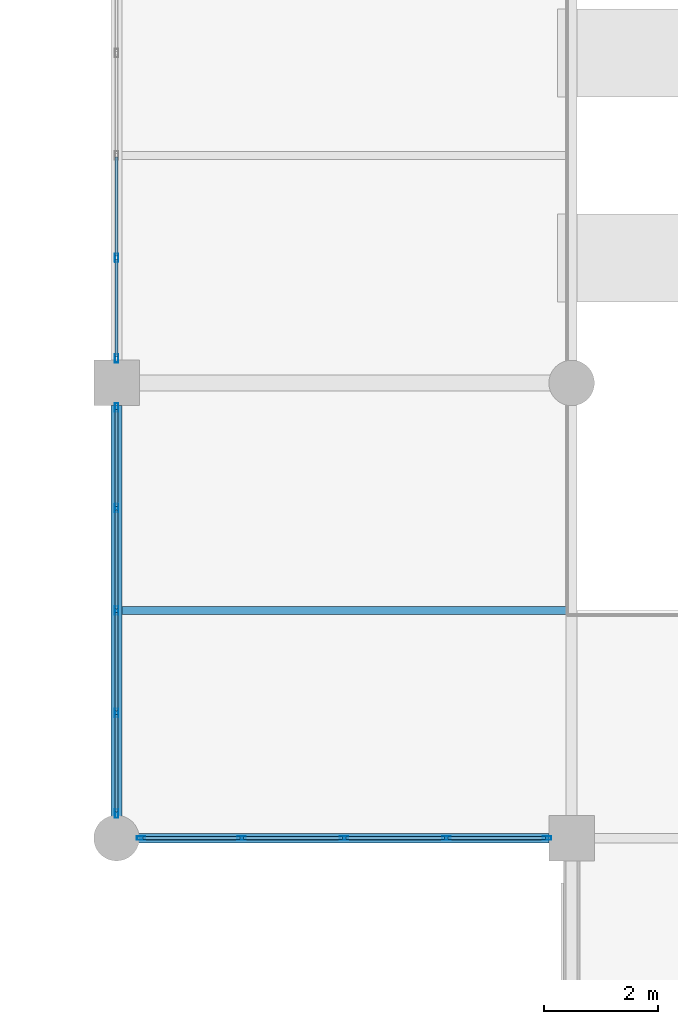
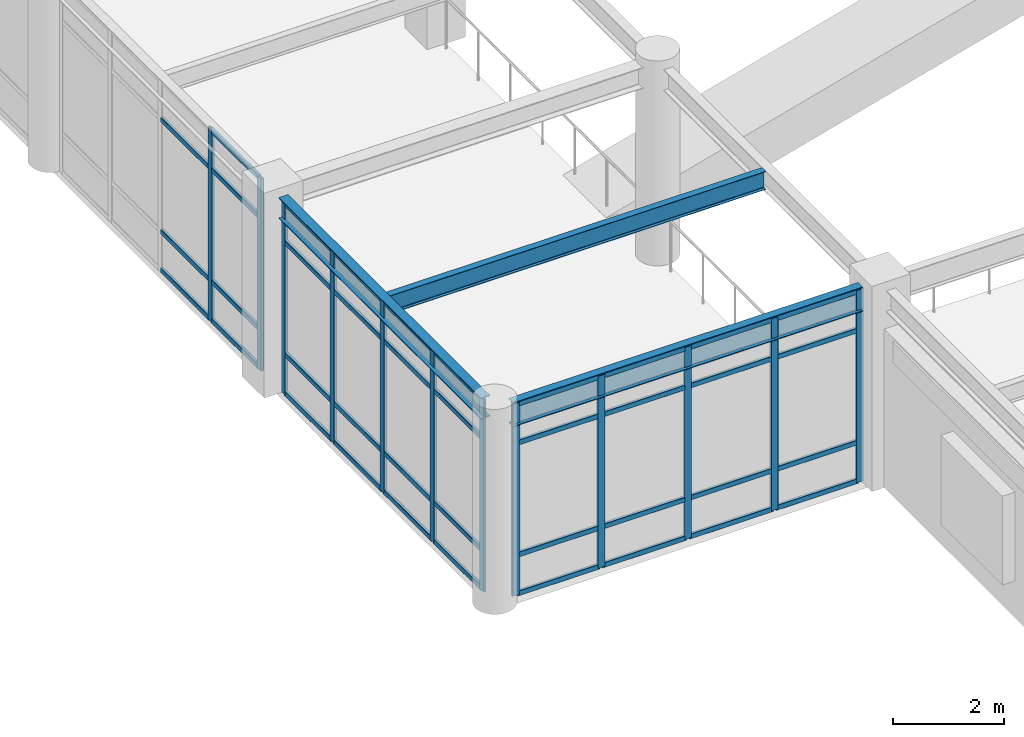
# One storey, part 18 of 75: 51 members, 3 beams, 3 elements without a shape of their own.
"""IFC4 building model written with IfcOpenShell, lengths in metres."""

from ifc_helpers import new_model, si_unit, direction, frame, origin, origin_2d, place, context, subcontext, project, spatial, hollow_rectangle, i_section, extrude, material, material_profile, profile_set, type_object, element, aggregate, save


model = new_model("IFC4")

# Units and contexts
model_context = context("Model", 3, precision=1e-05, world=origin(), true_north=direction((0.0, 1.0)))
body_context = subcontext(model_context, "Body", "Model", "MODEL_VIEW")
ifc_project = project(units=[si_unit("LENGTHUNIT", "METRE"), si_unit("AREAUNIT", "SQUARE_METRE"), si_unit("VOLUMEUNIT", "CUBIC_METRE"), si_unit("PLANEANGLEUNIT", "RADIAN"), si_unit("MASSUNIT", "GRAM", prefix="KILO")], contexts=[model_context])

# Site, building, storey
site_placement = place(None, origin())
site = spatial("IfcSite", under=ifc_project, at=site_placement, CompositionType="ELEMENT")
building_placement = place(site_placement, origin())
building = spatial("IfcBuilding", under=site, at=building_placement, Name="Solmirada Galleria", CompositionType="ELEMENT")
storey_placement = place(building_placement, frame((0.0, 0.0, 19.39990234375)))
storey = spatial("IfcBuildingStorey", under=building, at=storey_placement, Name="L04", CompositionType="ELEMENT", Elevation=19.39990234375)

# Beams
ifc_material_1 = material(Name="Steel S355 / ASTM A992 Grade 50", Category="steel")
ifc_material_profile_1 = material_profile(ifc_material_1, i_section(OverallWidth=0.193115234375, OverallDepth=0.466064453125, WebThickness=0.011474609375, FlangeThickness=0.01904296875, FilletRadius=0.013916015625, at=origin_2d()), Name="W18X65")
ifc_profile_set_1 = profile_set([ifc_material_profile_1], Name="Steel S355 / ASTM A992 Grade 50")
beam_type_1 = type_object("IfcBeamType", Name="BM-GIRD-W18C", PredefinedType="BEAM", material=ifc_profile_set_1)
beam_1_placement = place(storey_placement, frame((80.0, 48.3359375, 4.067138671875), z_axis=(0.0, 1.0, 0.0), x_axis=(-1.0, 0.0, 0.0)))
element("IfcBeam", 1, at=beam_1_placement, inside=storey, type_object=beam_type_1, Name="Primary girder L05 Y(80, 48..56)", PredefinedType="BEAM", context=body_context, shape_type="SweptSolid", body=[
    extrude(i_section(OverallWidth=0.193115234375, OverallDepth=0.466064453125, WebThickness=0.011474609375, FlangeThickness=0.01904296875, FilletRadius=0.013916015625, at=origin_2d()), origin(), (0.0, 0.0, 1.0), 7.26416015625),
])
ifc_material_profile_2 = material_profile(ifc_material_1, i_section(OverallWidth=0.1669921875, OverallDepth=0.534912109375, WebThickness=0.01025390625, FlangeThickness=0.0166015625, FilletRadius=0.013916015625, at=origin_2d()), Name="W21X57")
ifc_profile_set_2 = profile_set([ifc_material_profile_2], Name="Steel S355 / ASTM A992 Grade 50")
beam_type_2 = type_object("IfcBeamType", Name="BM-GIRD-W21C", PredefinedType="BEAM", material=ifc_profile_set_2)
beam_2_placement = place(storey_placement, frame((80.3359375, 48.0, 4.03271484375), z_axis=(1.0, 0.0, 0.0), x_axis=(0.0, 1.0, 0.0)))
element("IfcBeam", 2, at=beam_2_placement, inside=storey, type_object=beam_type_2, Name="Primary beam L05 X(80..88, 48)", PredefinedType="BEAM", context=body_context, shape_type="SweptSolid", body=[
    extrude(i_section(OverallWidth=0.1669921875, OverallDepth=0.534912109375, WebThickness=0.01025390625, FlangeThickness=0.0166015625, FilletRadius=0.013916015625, at=origin_2d()), origin(), (0.0, 0.0, 1.0), 7.26416015625),
])
ifc_material_profile_3 = material_profile(ifc_material_1, i_section(OverallWidth=0.139892578125, OverallDepth=0.39892578125, WebThickness=0.00634765625, FlangeThickness=0.0087890625, FilletRadius=0.010986328125, at=origin_2d()), Name="W16X26")
ifc_profile_set_3 = profile_set([ifc_material_profile_3], Name="Steel S355 / ASTM A992 Grade 50")
beam_type_3 = type_object("IfcBeamType", Name="BM-JST-W16C", PredefinedType="JOIST", material=ifc_profile_set_3)
beam_3_placement = place(storey_placement, frame((80.096435546875, 52.0, 4.1005859375), z_axis=(1.0, 0.0, 0.0), x_axis=(0.0, 1.0, 0.0)))
element("IfcBeam", 3, at=beam_3_placement, inside=storey, type_object=beam_type_3, Name="Composite floor joist L05 (80..88, 52.0)", PredefinedType="JOIST", context=body_context, shape_type="SweptSolid", body=[
    extrude(i_section(OverallWidth=0.139892578125, OverallDepth=0.39892578125, WebThickness=0.00634765625, FlangeThickness=0.0087890625, FilletRadius=0.010986328125, at=origin_2d()), origin(), (0.0, 0.0, 1.0), 7.80712890625),
])

# Curtain wall, members
ifc_material_2 = material(Name="Impact-resistant low-E double glazing", Category="glass")
curtain_wall_type = type_object("IfcCurtainWallType", Name="CW-FZ3-L04-B4-L072", PredefinedType="NOTDEFINED", material=ifc_material_2)
curtain_wall_1_placement = place(storey_placement, origin())
curtain_wall_1 = element("IfcCurtainWall", 4, at=curtain_wall_1_placement, inside=storey, type_object=curtain_wall_type, Name="Terrace and arcade storefront CW-L04-141", PredefinedType="NOTDEFINED")
ifc_material_3 = material(Name="Anodised aluminium framing", Category="aluminium")
ifc_material_profile_4 = material_profile(ifc_material_3, hollow_rectangle(XDim=0.06005859375, YDim=0.14990234375, WallThickness=0.00341796875, InnerFilletRadius=0.00341796875, OuterFilletRadius=0.007080078125, at=origin_2d()), Name="ALU-MULL-150X60")
ifc_profile_set_4 = profile_set([ifc_material_profile_4], Name="Anodised aluminium framing")
member_type_1 = type_object("IfcMemberType", Name="CW-MULL-150", PredefinedType="MULLION", material=ifc_profile_set_4)
member_1_placement = place(storey_placement, frame((87.568115234375, 48.0, 0.0), z_axis=(0.0, 0.0, 1.0), x_axis=(0.0, -1.0, 0.0)))
member_1 = element("IfcMember", 5, at=member_1_placement, type_object=member_type_1, Name="CW30 mullion 1", PredefinedType="MULLION", context=body_context, shape_type="SweptSolid", body=[
    extrude(hollow_rectangle(XDim=0.06005859375, YDim=0.14990234375, WallThickness=0.00341796875, InnerFilletRadius=0.00341796875, OuterFilletRadius=0.007080078125, at=origin_2d()), origin(), (0.0, 0.0, 1.0), 4.22021484375),
])
member_2_placement = place(storey_placement, frame((85.799072265625, 48.0, 0.0), z_axis=(0.0, 0.0, 1.0), x_axis=(0.0, -1.0, 0.0)))
member_2 = element("IfcMember", 6, at=member_2_placement, type_object=member_type_1, Name="CW30 mullion 2", PredefinedType="MULLION", context=body_context, shape_type="SweptSolid", body=[
    extrude(hollow_rectangle(XDim=0.06005859375, YDim=0.14990234375, WallThickness=0.00341796875, InnerFilletRadius=0.00341796875, OuterFilletRadius=0.007080078125, at=origin_2d()), origin(), (0.0, 0.0, 1.0), 4.22021484375),
])
member_3_placement = place(storey_placement, frame((84.0, 48.0, 0.0), z_axis=(0.0, 0.0, 1.0), x_axis=(0.0, -1.0, 0.0)))
member_3 = element("IfcMember", 7, at=member_3_placement, type_object=member_type_1, Name="CW30 mullion 3", PredefinedType="MULLION", context=body_context, shape_type="SweptSolid", body=[
    extrude(hollow_rectangle(XDim=0.06005859375, YDim=0.14990234375, WallThickness=0.00341796875, InnerFilletRadius=0.00341796875, OuterFilletRadius=0.007080078125, at=origin_2d()), origin(), (0.0, 0.0, 1.0), 4.22021484375),
])
member_4_placement = place(storey_placement, frame((82.200927734375, 48.0, 0.0), z_axis=(0.0, 0.0, 1.0), x_axis=(0.0, -1.0, 0.0)))
member_4 = element("IfcMember", 8, at=member_4_placement, type_object=member_type_1, Name="CW30 mullion 4", PredefinedType="MULLION", context=body_context, shape_type="SweptSolid", body=[
    extrude(hollow_rectangle(XDim=0.06005859375, YDim=0.14990234375, WallThickness=0.00341796875, InnerFilletRadius=0.00341796875, OuterFilletRadius=0.007080078125, at=origin_2d()), origin(), (0.0, 0.0, 1.0), 4.22021484375),
])
member_5_placement = place(storey_placement, frame((80.431884765625, 48.0, 0.0), z_axis=(0.0, 0.0, 1.0), x_axis=(0.0, -1.0, 0.0)))
member_5 = element("IfcMember", 9, at=member_5_placement, type_object=member_type_1, Name="CW30 mullion 5", PredefinedType="MULLION", context=body_context, shape_type="SweptSolid", body=[
    extrude(hollow_rectangle(XDim=0.06005859375, YDim=0.14990234375, WallThickness=0.00341796875, InnerFilletRadius=0.00341796875, OuterFilletRadius=0.007080078125, at=origin_2d()), origin(), (0.0, 0.0, 1.0), 4.22021484375),
])

curtain_wall_2_placement = place(storey_placement, origin())
curtain_wall_2 = element("IfcCurtainWall", 10, at=curtain_wall_2_placement, inside=storey, type_object=curtain_wall_type, Name="Terrace and arcade storefront CW-L04-142", PredefinedType="NOTDEFINED")
member_6_placement = place(storey_placement, frame((80.0, 48.431884765625, 0.0), z_axis=(0.0, 0.0, 1.0), x_axis=(-1.0, 0.0, 0.0)))
member_6 = element("IfcMember", 11, at=member_6_placement, type_object=member_type_1, Name="CW30 mullion 1", PredefinedType="MULLION", context=body_context, shape_type="SweptSolid", body=[
    extrude(hollow_rectangle(XDim=0.06005859375, YDim=0.14990234375, WallThickness=0.00341796875, InnerFilletRadius=0.00341796875, OuterFilletRadius=0.007080078125, at=origin_2d()), origin(), (0.0, 0.0, 1.0), 4.22021484375),
])
member_7_placement = place(storey_placement, frame((80.0, 50.200927734375, 0.0), z_axis=(0.0, 0.0, 1.0), x_axis=(-1.0, 0.0, 0.0)))
member_7 = element("IfcMember", 12, at=member_7_placement, type_object=member_type_1, Name="CW30 mullion 2", PredefinedType="MULLION", context=body_context, shape_type="SweptSolid", body=[
    extrude(hollow_rectangle(XDim=0.06005859375, YDim=0.14990234375, WallThickness=0.00341796875, InnerFilletRadius=0.00341796875, OuterFilletRadius=0.007080078125, at=origin_2d()), origin(), (0.0, 0.0, 1.0), 4.22021484375),
])
member_8_placement = place(storey_placement, frame((80.0, 52.0, 0.0), z_axis=(0.0, 0.0, 1.0), x_axis=(-1.0, 0.0, 0.0)))
member_8 = element("IfcMember", 13, at=member_8_placement, type_object=member_type_1, Name="CW30 mullion 3", PredefinedType="MULLION", context=body_context, shape_type="SweptSolid", body=[
    extrude(hollow_rectangle(XDim=0.06005859375, YDim=0.14990234375, WallThickness=0.00341796875, InnerFilletRadius=0.00341796875, OuterFilletRadius=0.007080078125, at=origin_2d()), origin(), (0.0, 0.0, 1.0), 4.22021484375),
])
member_9_placement = place(storey_placement, frame((80.0, 53.799072265625, 0.0), z_axis=(0.0, 0.0, 1.0), x_axis=(-1.0, 0.0, 0.0)))
member_9 = element("IfcMember", 14, at=member_9_placement, type_object=member_type_1, Name="CW30 mullion 4", PredefinedType="MULLION", context=body_context, shape_type="SweptSolid", body=[
    extrude(hollow_rectangle(XDim=0.06005859375, YDim=0.14990234375, WallThickness=0.00341796875, InnerFilletRadius=0.00341796875, OuterFilletRadius=0.007080078125, at=origin_2d()), origin(), (0.0, 0.0, 1.0), 4.22021484375),
])
member_10_placement = place(storey_placement, frame((80.0, 55.568115234375, 0.0), z_axis=(0.0, 0.0, 1.0), x_axis=(-1.0, 0.0, 0.0)))
member_10 = element("IfcMember", 15, at=member_10_placement, type_object=member_type_1, Name="CW30 mullion 5", PredefinedType="MULLION", context=body_context, shape_type="SweptSolid", body=[
    extrude(hollow_rectangle(XDim=0.06005859375, YDim=0.14990234375, WallThickness=0.00341796875, InnerFilletRadius=0.00341796875, OuterFilletRadius=0.007080078125, at=origin_2d()), origin(), (0.0, 0.0, 1.0), 4.22021484375),
])

curtain_wall_3_placement = place(storey_placement, origin())
curtain_wall_3 = element("IfcCurtainWall", 16, at=curtain_wall_3_placement, inside=storey, type_object=curtain_wall_type, Name="Terrace and arcade storefront CW-L04-143", PredefinedType="NOTDEFINED")
member_11_placement = place(storey_placement, frame((80.0, 56.431884765625, 0.0), z_axis=(0.0, 0.0, 1.0), x_axis=(-1.0, 0.0, 0.0)))
member_11 = element("IfcMember", 17, at=member_11_placement, type_object=member_type_1, Name="CW30 mullion 1", PredefinedType="MULLION", context=body_context, shape_type="SweptSolid", body=[
    extrude(hollow_rectangle(XDim=0.06005859375, YDim=0.14990234375, WallThickness=0.00341796875, InnerFilletRadius=0.00341796875, OuterFilletRadius=0.007080078125, at=origin_2d()), origin(), (0.0, 0.0, 1.0), 4.22021484375),
])
member_12_placement = place(storey_placement, frame((80.0, 58.200927734375, 0.0), z_axis=(0.0, 0.0, 1.0), x_axis=(-1.0, 0.0, 0.0)))
member_12 = element("IfcMember", 18, at=member_12_placement, type_object=member_type_1, Name="CW30 mullion 2", PredefinedType="MULLION", context=body_context, shape_type="SweptSolid", body=[
    extrude(hollow_rectangle(XDim=0.06005859375, YDim=0.14990234375, WallThickness=0.00341796875, InnerFilletRadius=0.00341796875, OuterFilletRadius=0.007080078125, at=origin_2d()), origin(), (0.0, 0.0, 1.0), 4.22021484375),
])

# Member
ifc_material_profile_5 = material_profile(ifc_material_3, hollow_rectangle(XDim=0.06005859375, YDim=0.110107421875, WallThickness=0.003173828125, InnerFilletRadius=0.003173828125, OuterFilletRadius=0.00634765625, at=origin_2d()), Name="ALU-TRAN-110X60")
ifc_profile_set_5 = profile_set([ifc_material_profile_5], Name="Anodised aluminium framing")
member_type_2 = type_object("IfcMemberType", Name="CW-TRAN-110", PredefinedType="USERDEFINED", material=ifc_profile_set_5)
member_13_placement = place(storey_placement, frame((87.5380859375, 48.0, 0.030029296875), z_axis=(-1.0, 0.0, 0.0), x_axis=(0.0, -1.0, 0.0)))
member_13 = element("IfcMember", 19, at=member_13_placement, type_object=member_type_2, Name="CW30 transom 1.1", ObjectType="TRANSOM", PredefinedType="USERDEFINED", context=body_context, shape_type="SweptSolid", body=[
    extrude(hollow_rectangle(XDim=0.06005859375, YDim=0.110107421875, WallThickness=0.003173828125, InnerFilletRadius=0.003173828125, OuterFilletRadius=0.00634765625, at=origin_2d()), origin(), (0.0, 0.0, 1.0), 1.708984375),
])

member_14_placement = place(storey_placement, frame((87.5380859375, 48.0, 0.880126953125), z_axis=(-1.0, 0.0, 0.0), x_axis=(0.0, -1.0, 0.0)))
member_14 = element("IfcMember", 20, at=member_14_placement, type_object=member_type_2, Name="CW30 transom 1.2", ObjectType="TRANSOM", PredefinedType="USERDEFINED", context=body_context, shape_type="SweptSolid", body=[
    extrude(hollow_rectangle(XDim=0.06005859375, YDim=0.110107421875, WallThickness=0.003173828125, InnerFilletRadius=0.003173828125, OuterFilletRadius=0.00634765625, at=origin_2d()), origin(), (0.0, 0.0, 1.0), 1.708984375),
])

member_15_placement = place(storey_placement, frame((87.5380859375, 48.0, 3.340087890625), z_axis=(-1.0, 0.0, 0.0), x_axis=(0.0, -1.0, 0.0)))
member_15 = element("IfcMember", 21, at=member_15_placement, type_object=member_type_2, Name="CW30 transom 1.3", ObjectType="TRANSOM", PredefinedType="USERDEFINED", context=body_context, shape_type="SweptSolid", body=[
    extrude(hollow_rectangle(XDim=0.06005859375, YDim=0.110107421875, WallThickness=0.003173828125, InnerFilletRadius=0.003173828125, OuterFilletRadius=0.00634765625, at=origin_2d()), origin(), (0.0, 0.0, 1.0), 1.708984375),
])

member_16_placement = place(storey_placement, frame((87.5380859375, 48.0, 4.190185546875), z_axis=(-1.0, 0.0, 0.0), x_axis=(0.0, -1.0, 0.0)))
member_16 = element("IfcMember", 22, at=member_16_placement, type_object=member_type_2, Name="CW30 transom 1.4", ObjectType="TRANSOM", PredefinedType="USERDEFINED", context=body_context, shape_type="SweptSolid", body=[
    extrude(hollow_rectangle(XDim=0.06005859375, YDim=0.110107421875, WallThickness=0.003173828125, InnerFilletRadius=0.003173828125, OuterFilletRadius=0.00634765625, at=origin_2d()), origin(), (0.0, 0.0, 1.0), 1.708984375),
])

member_17_placement = place(storey_placement, frame((85.76904296875, 48.0, 0.030029296875), z_axis=(-1.0, 0.0, 0.0), x_axis=(0.0, -1.0, 0.0)))
member_17 = element("IfcMember", 23, at=member_17_placement, type_object=member_type_2, Name="CW30 transom 2.1", ObjectType="TRANSOM", PredefinedType="USERDEFINED", context=body_context, shape_type="SweptSolid", body=[
    extrude(hollow_rectangle(XDim=0.06005859375, YDim=0.110107421875, WallThickness=0.003173828125, InnerFilletRadius=0.003173828125, OuterFilletRadius=0.00634765625, at=origin_2d()), origin(), (0.0, 0.0, 1.0), 1.739013671875),
])

member_18_placement = place(storey_placement, frame((85.76904296875, 48.0, 0.880126953125), z_axis=(-1.0, 0.0, 0.0), x_axis=(0.0, -1.0, 0.0)))
member_18 = element("IfcMember", 24, at=member_18_placement, type_object=member_type_2, Name="CW30 transom 2.2", ObjectType="TRANSOM", PredefinedType="USERDEFINED", context=body_context, shape_type="SweptSolid", body=[
    extrude(hollow_rectangle(XDim=0.06005859375, YDim=0.110107421875, WallThickness=0.003173828125, InnerFilletRadius=0.003173828125, OuterFilletRadius=0.00634765625, at=origin_2d()), origin(), (0.0, 0.0, 1.0), 1.739013671875),
])

member_19_placement = place(storey_placement, frame((85.76904296875, 48.0, 3.340087890625), z_axis=(-1.0, 0.0, 0.0), x_axis=(0.0, -1.0, 0.0)))
member_19 = element("IfcMember", 25, at=member_19_placement, type_object=member_type_2, Name="CW30 transom 2.3", ObjectType="TRANSOM", PredefinedType="USERDEFINED", context=body_context, shape_type="SweptSolid", body=[
    extrude(hollow_rectangle(XDim=0.06005859375, YDim=0.110107421875, WallThickness=0.003173828125, InnerFilletRadius=0.003173828125, OuterFilletRadius=0.00634765625, at=origin_2d()), origin(), (0.0, 0.0, 1.0), 1.739013671875),
])

member_20_placement = place(storey_placement, frame((85.76904296875, 48.0, 4.190185546875), z_axis=(-1.0, 0.0, 0.0), x_axis=(0.0, -1.0, 0.0)))
member_20 = element("IfcMember", 26, at=member_20_placement, type_object=member_type_2, Name="CW30 transom 2.4", ObjectType="TRANSOM", PredefinedType="USERDEFINED", context=body_context, shape_type="SweptSolid", body=[
    extrude(hollow_rectangle(XDim=0.06005859375, YDim=0.110107421875, WallThickness=0.003173828125, InnerFilletRadius=0.003173828125, OuterFilletRadius=0.00634765625, at=origin_2d()), origin(), (0.0, 0.0, 1.0), 1.739013671875),
])

member_21_placement = place(storey_placement, frame((83.969970703125, 48.0, 0.030029296875), z_axis=(-1.0, 0.0, 0.0), x_axis=(0.0, -1.0, 0.0)))
member_21 = element("IfcMember", 27, at=member_21_placement, type_object=member_type_2, Name="CW30 transom 3.1", ObjectType="TRANSOM", PredefinedType="USERDEFINED", context=body_context, shape_type="SweptSolid", body=[
    extrude(hollow_rectangle(XDim=0.06005859375, YDim=0.110107421875, WallThickness=0.003173828125, InnerFilletRadius=0.003173828125, OuterFilletRadius=0.00634765625, at=origin_2d()), origin(), (0.0, 0.0, 1.0), 1.739013671875),
])

member_22_placement = place(storey_placement, frame((83.969970703125, 48.0, 0.880126953125), z_axis=(-1.0, 0.0, 0.0), x_axis=(0.0, -1.0, 0.0)))
member_22 = element("IfcMember", 28, at=member_22_placement, type_object=member_type_2, Name="CW30 transom 3.2", ObjectType="TRANSOM", PredefinedType="USERDEFINED", context=body_context, shape_type="SweptSolid", body=[
    extrude(hollow_rectangle(XDim=0.06005859375, YDim=0.110107421875, WallThickness=0.003173828125, InnerFilletRadius=0.003173828125, OuterFilletRadius=0.00634765625, at=origin_2d()), origin(), (0.0, 0.0, 1.0), 1.739013671875),
])

member_23_placement = place(storey_placement, frame((83.969970703125, 48.0, 3.340087890625), z_axis=(-1.0, 0.0, 0.0), x_axis=(0.0, -1.0, 0.0)))
member_23 = element("IfcMember", 29, at=member_23_placement, type_object=member_type_2, Name="CW30 transom 3.3", ObjectType="TRANSOM", PredefinedType="USERDEFINED", context=body_context, shape_type="SweptSolid", body=[
    extrude(hollow_rectangle(XDim=0.06005859375, YDim=0.110107421875, WallThickness=0.003173828125, InnerFilletRadius=0.003173828125, OuterFilletRadius=0.00634765625, at=origin_2d()), origin(), (0.0, 0.0, 1.0), 1.739013671875),
])

member_24_placement = place(storey_placement, frame((83.969970703125, 48.0, 4.190185546875), z_axis=(-1.0, 0.0, 0.0), x_axis=(0.0, -1.0, 0.0)))
member_24 = element("IfcMember", 30, at=member_24_placement, type_object=member_type_2, Name="CW30 transom 3.4", ObjectType="TRANSOM", PredefinedType="USERDEFINED", context=body_context, shape_type="SweptSolid", body=[
    extrude(hollow_rectangle(XDim=0.06005859375, YDim=0.110107421875, WallThickness=0.003173828125, InnerFilletRadius=0.003173828125, OuterFilletRadius=0.00634765625, at=origin_2d()), origin(), (0.0, 0.0, 1.0), 1.739013671875),
])

member_25_placement = place(storey_placement, frame((82.1708984375, 48.0, 0.030029296875), z_axis=(-1.0, 0.0, 0.0), x_axis=(0.0, -1.0, 0.0)))
member_25 = element("IfcMember", 31, at=member_25_placement, type_object=member_type_2, Name="CW30 transom 4.1", ObjectType="TRANSOM", PredefinedType="USERDEFINED", context=body_context, shape_type="SweptSolid", body=[
    extrude(hollow_rectangle(XDim=0.06005859375, YDim=0.110107421875, WallThickness=0.003173828125, InnerFilletRadius=0.003173828125, OuterFilletRadius=0.00634765625, at=origin_2d()), origin(), (0.0, 0.0, 1.0), 1.708984375),
])

member_26_placement = place(storey_placement, frame((82.1708984375, 48.0, 0.880126953125), z_axis=(-1.0, 0.0, 0.0), x_axis=(0.0, -1.0, 0.0)))
member_26 = element("IfcMember", 32, at=member_26_placement, type_object=member_type_2, Name="CW30 transom 4.2", ObjectType="TRANSOM", PredefinedType="USERDEFINED", context=body_context, shape_type="SweptSolid", body=[
    extrude(hollow_rectangle(XDim=0.06005859375, YDim=0.110107421875, WallThickness=0.003173828125, InnerFilletRadius=0.003173828125, OuterFilletRadius=0.00634765625, at=origin_2d()), origin(), (0.0, 0.0, 1.0), 1.708984375),
])

member_27_placement = place(storey_placement, frame((82.1708984375, 48.0, 3.340087890625), z_axis=(-1.0, 0.0, 0.0), x_axis=(0.0, -1.0, 0.0)))
member_27 = element("IfcMember", 33, at=member_27_placement, type_object=member_type_2, Name="CW30 transom 4.3", ObjectType="TRANSOM", PredefinedType="USERDEFINED", context=body_context, shape_type="SweptSolid", body=[
    extrude(hollow_rectangle(XDim=0.06005859375, YDim=0.110107421875, WallThickness=0.003173828125, InnerFilletRadius=0.003173828125, OuterFilletRadius=0.00634765625, at=origin_2d()), origin(), (0.0, 0.0, 1.0), 1.708984375),
])

member_28_placement = place(storey_placement, frame((82.1708984375, 48.0, 4.190185546875), z_axis=(-1.0, 0.0, 0.0), x_axis=(0.0, -1.0, 0.0)))
member_28 = element("IfcMember", 34, at=member_28_placement, type_object=member_type_2, Name="CW30 transom 4.4", ObjectType="TRANSOM", PredefinedType="USERDEFINED", context=body_context, shape_type="SweptSolid", body=[
    extrude(hollow_rectangle(XDim=0.06005859375, YDim=0.110107421875, WallThickness=0.003173828125, InnerFilletRadius=0.003173828125, OuterFilletRadius=0.00634765625, at=origin_2d()), origin(), (0.0, 0.0, 1.0), 1.708984375),
])

aggregate(curtain_wall_1, [member_1, member_2, member_3, member_4, member_5, member_13, member_14, member_15, member_16, member_17, member_18, member_19, member_20, member_21, member_22, member_23, member_24, member_25, member_26, member_27, member_28])

member_29_placement = place(storey_placement, frame((80.0, 48.4619140625, 0.030029296875), z_axis=(0.0, 1.0, 0.0), x_axis=(-1.0, 0.0, 0.0)))
member_29 = element("IfcMember", 35, at=member_29_placement, type_object=member_type_2, Name="CW30 transom 1.1", ObjectType="TRANSOM", PredefinedType="USERDEFINED", context=body_context, shape_type="SweptSolid", body=[
    extrude(hollow_rectangle(XDim=0.06005859375, YDim=0.110107421875, WallThickness=0.003173828125, InnerFilletRadius=0.003173828125, OuterFilletRadius=0.00634765625, at=origin_2d()), origin(), (0.0, 0.0, 1.0), 1.708984375),
])

member_30_placement = place(storey_placement, frame((80.0, 48.4619140625, 0.880126953125), z_axis=(0.0, 1.0, 0.0), x_axis=(-1.0, 0.0, 0.0)))
member_30 = element("IfcMember", 36, at=member_30_placement, type_object=member_type_2, Name="CW30 transom 1.2", ObjectType="TRANSOM", PredefinedType="USERDEFINED", context=body_context, shape_type="SweptSolid", body=[
    extrude(hollow_rectangle(XDim=0.06005859375, YDim=0.110107421875, WallThickness=0.003173828125, InnerFilletRadius=0.003173828125, OuterFilletRadius=0.00634765625, at=origin_2d()), origin(), (0.0, 0.0, 1.0), 1.708984375),
])

member_31_placement = place(storey_placement, frame((80.0, 48.4619140625, 3.340087890625), z_axis=(0.0, 1.0, 0.0), x_axis=(-1.0, 0.0, 0.0)))
member_31 = element("IfcMember", 37, at=member_31_placement, type_object=member_type_2, Name="CW30 transom 1.3", ObjectType="TRANSOM", PredefinedType="USERDEFINED", context=body_context, shape_type="SweptSolid", body=[
    extrude(hollow_rectangle(XDim=0.06005859375, YDim=0.110107421875, WallThickness=0.003173828125, InnerFilletRadius=0.003173828125, OuterFilletRadius=0.00634765625, at=origin_2d()), origin(), (0.0, 0.0, 1.0), 1.708984375),
])

member_32_placement = place(storey_placement, frame((80.0, 48.4619140625, 4.190185546875), z_axis=(0.0, 1.0, 0.0), x_axis=(-1.0, 0.0, 0.0)))
member_32 = element("IfcMember", 38, at=member_32_placement, type_object=member_type_2, Name="CW30 transom 1.4", ObjectType="TRANSOM", PredefinedType="USERDEFINED", context=body_context, shape_type="SweptSolid", body=[
    extrude(hollow_rectangle(XDim=0.06005859375, YDim=0.110107421875, WallThickness=0.003173828125, InnerFilletRadius=0.003173828125, OuterFilletRadius=0.00634765625, at=origin_2d()), origin(), (0.0, 0.0, 1.0), 1.708984375),
])

member_33_placement = place(storey_placement, frame((80.0, 50.23095703125, 0.030029296875), z_axis=(0.0, 1.0, 0.0), x_axis=(-1.0, 0.0, 0.0)))
member_33 = element("IfcMember", 39, at=member_33_placement, type_object=member_type_2, Name="CW30 transom 2.1", ObjectType="TRANSOM", PredefinedType="USERDEFINED", context=body_context, shape_type="SweptSolid", body=[
    extrude(hollow_rectangle(XDim=0.06005859375, YDim=0.110107421875, WallThickness=0.003173828125, InnerFilletRadius=0.003173828125, OuterFilletRadius=0.00634765625, at=origin_2d()), origin(), (0.0, 0.0, 1.0), 1.739013671875),
])

member_34_placement = place(storey_placement, frame((80.0, 50.23095703125, 0.880126953125), z_axis=(0.0, 1.0, 0.0), x_axis=(-1.0, 0.0, 0.0)))
member_34 = element("IfcMember", 40, at=member_34_placement, type_object=member_type_2, Name="CW30 transom 2.2", ObjectType="TRANSOM", PredefinedType="USERDEFINED", context=body_context, shape_type="SweptSolid", body=[
    extrude(hollow_rectangle(XDim=0.06005859375, YDim=0.110107421875, WallThickness=0.003173828125, InnerFilletRadius=0.003173828125, OuterFilletRadius=0.00634765625, at=origin_2d()), origin(), (0.0, 0.0, 1.0), 1.739013671875),
])

member_35_placement = place(storey_placement, frame((80.0, 50.23095703125, 3.340087890625), z_axis=(0.0, 1.0, 0.0), x_axis=(-1.0, 0.0, 0.0)))
member_35 = element("IfcMember", 41, at=member_35_placement, type_object=member_type_2, Name="CW30 transom 2.3", ObjectType="TRANSOM", PredefinedType="USERDEFINED", context=body_context, shape_type="SweptSolid", body=[
    extrude(hollow_rectangle(XDim=0.06005859375, YDim=0.110107421875, WallThickness=0.003173828125, InnerFilletRadius=0.003173828125, OuterFilletRadius=0.00634765625, at=origin_2d()), origin(), (0.0, 0.0, 1.0), 1.739013671875),
])

member_36_placement = place(storey_placement, frame((80.0, 50.23095703125, 4.190185546875), z_axis=(0.0, 1.0, 0.0), x_axis=(-1.0, 0.0, 0.0)))
member_36 = element("IfcMember", 42, at=member_36_placement, type_object=member_type_2, Name="CW30 transom 2.4", ObjectType="TRANSOM", PredefinedType="USERDEFINED", context=body_context, shape_type="SweptSolid", body=[
    extrude(hollow_rectangle(XDim=0.06005859375, YDim=0.110107421875, WallThickness=0.003173828125, InnerFilletRadius=0.003173828125, OuterFilletRadius=0.00634765625, at=origin_2d()), origin(), (0.0, 0.0, 1.0), 1.739013671875),
])

member_37_placement = place(storey_placement, frame((80.0, 52.030029296875, 0.030029296875), z_axis=(0.0, 1.0, 0.0), x_axis=(-1.0, 0.0, 0.0)))
member_37 = element("IfcMember", 43, at=member_37_placement, type_object=member_type_2, Name="CW30 transom 3.1", ObjectType="TRANSOM", PredefinedType="USERDEFINED", context=body_context, shape_type="SweptSolid", body=[
    extrude(hollow_rectangle(XDim=0.06005859375, YDim=0.110107421875, WallThickness=0.003173828125, InnerFilletRadius=0.003173828125, OuterFilletRadius=0.00634765625, at=origin_2d()), origin(), (0.0, 0.0, 1.0), 1.739013671875),
])

member_38_placement = place(storey_placement, frame((80.0, 52.030029296875, 0.880126953125), z_axis=(0.0, 1.0, 0.0), x_axis=(-1.0, 0.0, 0.0)))
member_38 = element("IfcMember", 44, at=member_38_placement, type_object=member_type_2, Name="CW30 transom 3.2", ObjectType="TRANSOM", PredefinedType="USERDEFINED", context=body_context, shape_type="SweptSolid", body=[
    extrude(hollow_rectangle(XDim=0.06005859375, YDim=0.110107421875, WallThickness=0.003173828125, InnerFilletRadius=0.003173828125, OuterFilletRadius=0.00634765625, at=origin_2d()), origin(), (0.0, 0.0, 1.0), 1.739013671875),
])

member_39_placement = place(storey_placement, frame((80.0, 52.030029296875, 3.340087890625), z_axis=(0.0, 1.0, 0.0), x_axis=(-1.0, 0.0, 0.0)))
member_39 = element("IfcMember", 45, at=member_39_placement, type_object=member_type_2, Name="CW30 transom 3.3", ObjectType="TRANSOM", PredefinedType="USERDEFINED", context=body_context, shape_type="SweptSolid", body=[
    extrude(hollow_rectangle(XDim=0.06005859375, YDim=0.110107421875, WallThickness=0.003173828125, InnerFilletRadius=0.003173828125, OuterFilletRadius=0.00634765625, at=origin_2d()), origin(), (0.0, 0.0, 1.0), 1.739013671875),
])

member_40_placement = place(storey_placement, frame((80.0, 52.030029296875, 4.190185546875), z_axis=(0.0, 1.0, 0.0), x_axis=(-1.0, 0.0, 0.0)))
member_40 = element("IfcMember", 46, at=member_40_placement, type_object=member_type_2, Name="CW30 transom 3.4", ObjectType="TRANSOM", PredefinedType="USERDEFINED", context=body_context, shape_type="SweptSolid", body=[
    extrude(hollow_rectangle(XDim=0.06005859375, YDim=0.110107421875, WallThickness=0.003173828125, InnerFilletRadius=0.003173828125, OuterFilletRadius=0.00634765625, at=origin_2d()), origin(), (0.0, 0.0, 1.0), 1.739013671875),
])

member_41_placement = place(storey_placement, frame((80.0, 53.8291015625, 0.030029296875), z_axis=(0.0, 1.0, 0.0), x_axis=(-1.0, 0.0, 0.0)))
member_41 = element("IfcMember", 47, at=member_41_placement, type_object=member_type_2, Name="CW30 transom 4.1", ObjectType="TRANSOM", PredefinedType="USERDEFINED", context=body_context, shape_type="SweptSolid", body=[
    extrude(hollow_rectangle(XDim=0.06005859375, YDim=0.110107421875, WallThickness=0.003173828125, InnerFilletRadius=0.003173828125, OuterFilletRadius=0.00634765625, at=origin_2d()), origin(), (0.0, 0.0, 1.0), 1.708984375),
])

member_42_placement = place(storey_placement, frame((80.0, 53.8291015625, 0.880126953125), z_axis=(0.0, 1.0, 0.0), x_axis=(-1.0, 0.0, 0.0)))
member_42 = element("IfcMember", 48, at=member_42_placement, type_object=member_type_2, Name="CW30 transom 4.2", ObjectType="TRANSOM", PredefinedType="USERDEFINED", context=body_context, shape_type="SweptSolid", body=[
    extrude(hollow_rectangle(XDim=0.06005859375, YDim=0.110107421875, WallThickness=0.003173828125, InnerFilletRadius=0.003173828125, OuterFilletRadius=0.00634765625, at=origin_2d()), origin(), (0.0, 0.0, 1.0), 1.708984375),
])

member_43_placement = place(storey_placement, frame((80.0, 53.8291015625, 3.340087890625), z_axis=(0.0, 1.0, 0.0), x_axis=(-1.0, 0.0, 0.0)))
member_43 = element("IfcMember", 49, at=member_43_placement, type_object=member_type_2, Name="CW30 transom 4.3", ObjectType="TRANSOM", PredefinedType="USERDEFINED", context=body_context, shape_type="SweptSolid", body=[
    extrude(hollow_rectangle(XDim=0.06005859375, YDim=0.110107421875, WallThickness=0.003173828125, InnerFilletRadius=0.003173828125, OuterFilletRadius=0.00634765625, at=origin_2d()), origin(), (0.0, 0.0, 1.0), 1.708984375),
])

member_44_placement = place(storey_placement, frame((80.0, 53.8291015625, 4.190185546875), z_axis=(0.0, 1.0, 0.0), x_axis=(-1.0, 0.0, 0.0)))
member_44 = element("IfcMember", 50, at=member_44_placement, type_object=member_type_2, Name="CW30 transom 4.4", ObjectType="TRANSOM", PredefinedType="USERDEFINED", context=body_context, shape_type="SweptSolid", body=[
    extrude(hollow_rectangle(XDim=0.06005859375, YDim=0.110107421875, WallThickness=0.003173828125, InnerFilletRadius=0.003173828125, OuterFilletRadius=0.00634765625, at=origin_2d()), origin(), (0.0, 0.0, 1.0), 1.708984375),
])

aggregate(curtain_wall_2, [member_6, member_7, member_8, member_9, member_10, member_29, member_30, member_31, member_32, member_33, member_34, member_35, member_36, member_37, member_38, member_39, member_40, member_41, member_42, member_43, member_44])

member_45_placement = place(storey_placement, frame((80.0, 56.4619140625, 0.030029296875), z_axis=(0.0, 1.0, 0.0), x_axis=(-1.0, 0.0, 0.0)))
member_45 = element("IfcMember", 51, at=member_45_placement, type_object=member_type_2, Name="CW30 transom 1.1", ObjectType="TRANSOM", PredefinedType="USERDEFINED", context=body_context, shape_type="SweptSolid", body=[
    extrude(hollow_rectangle(XDim=0.06005859375, YDim=0.110107421875, WallThickness=0.003173828125, InnerFilletRadius=0.003173828125, OuterFilletRadius=0.00634765625, at=origin_2d()), origin(), (0.0, 0.0, 1.0), 1.708984375),
])

member_46_placement = place(storey_placement, frame((80.0, 56.4619140625, 0.880126953125), z_axis=(0.0, 1.0, 0.0), x_axis=(-1.0, 0.0, 0.0)))
member_46 = element("IfcMember", 52, at=member_46_placement, type_object=member_type_2, Name="CW30 transom 1.2", ObjectType="TRANSOM", PredefinedType="USERDEFINED", context=body_context, shape_type="SweptSolid", body=[
    extrude(hollow_rectangle(XDim=0.06005859375, YDim=0.110107421875, WallThickness=0.003173828125, InnerFilletRadius=0.003173828125, OuterFilletRadius=0.00634765625, at=origin_2d()), origin(), (0.0, 0.0, 1.0), 1.708984375),
])

member_47_placement = place(storey_placement, frame((80.0, 56.4619140625, 3.340087890625), z_axis=(0.0, 1.0, 0.0), x_axis=(-1.0, 0.0, 0.0)))
member_47 = element("IfcMember", 53, at=member_47_placement, type_object=member_type_2, Name="CW30 transom 1.3", ObjectType="TRANSOM", PredefinedType="USERDEFINED", context=body_context, shape_type="SweptSolid", body=[
    extrude(hollow_rectangle(XDim=0.06005859375, YDim=0.110107421875, WallThickness=0.003173828125, InnerFilletRadius=0.003173828125, OuterFilletRadius=0.00634765625, at=origin_2d()), origin(), (0.0, 0.0, 1.0), 1.708984375),
])

member_48_placement = place(storey_placement, frame((80.0, 56.4619140625, 4.190185546875), z_axis=(0.0, 1.0, 0.0), x_axis=(-1.0, 0.0, 0.0)))
member_48 = element("IfcMember", 54, at=member_48_placement, type_object=member_type_2, Name="CW30 transom 1.4", ObjectType="TRANSOM", PredefinedType="USERDEFINED", context=body_context, shape_type="SweptSolid", body=[
    extrude(hollow_rectangle(XDim=0.06005859375, YDim=0.110107421875, WallThickness=0.003173828125, InnerFilletRadius=0.003173828125, OuterFilletRadius=0.00634765625, at=origin_2d()), origin(), (0.0, 0.0, 1.0), 1.708984375),
])

member_49_placement = place(storey_placement, frame((80.0, 58.23095703125, 0.030029296875), z_axis=(0.0, 1.0, 0.0), x_axis=(-1.0, 0.0, 0.0)))
member_49 = element("IfcMember", 55, at=member_49_placement, type_object=member_type_2, Name="CW30 transom 2.1", ObjectType="TRANSOM", PredefinedType="USERDEFINED", context=body_context, shape_type="SweptSolid", body=[
    extrude(hollow_rectangle(XDim=0.06005859375, YDim=0.110107421875, WallThickness=0.003173828125, InnerFilletRadius=0.003173828125, OuterFilletRadius=0.00634765625, at=origin_2d()), origin(), (0.0, 0.0, 1.0), 1.739013671875),
])

member_50_placement = place(storey_placement, frame((80.0, 58.23095703125, 0.880126953125), z_axis=(0.0, 1.0, 0.0), x_axis=(-1.0, 0.0, 0.0)))
member_50 = element("IfcMember", 56, at=member_50_placement, type_object=member_type_2, Name="CW30 transom 2.2", ObjectType="TRANSOM", PredefinedType="USERDEFINED", context=body_context, shape_type="SweptSolid", body=[
    extrude(hollow_rectangle(XDim=0.06005859375, YDim=0.110107421875, WallThickness=0.003173828125, InnerFilletRadius=0.003173828125, OuterFilletRadius=0.00634765625, at=origin_2d()), origin(), (0.0, 0.0, 1.0), 1.739013671875),
])

member_51_placement = place(storey_placement, frame((80.0, 58.23095703125, 3.340087890625), z_axis=(0.0, 1.0, 0.0), x_axis=(-1.0, 0.0, 0.0)))
member_51 = element("IfcMember", 57, at=member_51_placement, type_object=member_type_2, Name="CW30 transom 2.3", ObjectType="TRANSOM", PredefinedType="USERDEFINED", context=body_context, shape_type="SweptSolid", body=[
    extrude(hollow_rectangle(XDim=0.06005859375, YDim=0.110107421875, WallThickness=0.003173828125, InnerFilletRadius=0.003173828125, OuterFilletRadius=0.00634765625, at=origin_2d()), origin(), (0.0, 0.0, 1.0), 1.739013671875),
])

aggregate(curtain_wall_3, [member_11, member_12, member_45, member_46, member_47, member_48, member_49, member_50, member_51])

save(model, "model.ifc")
